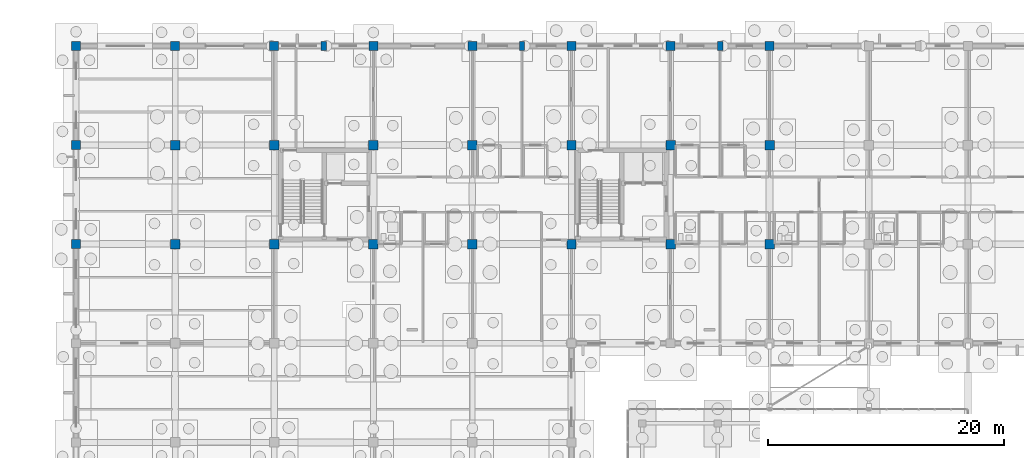
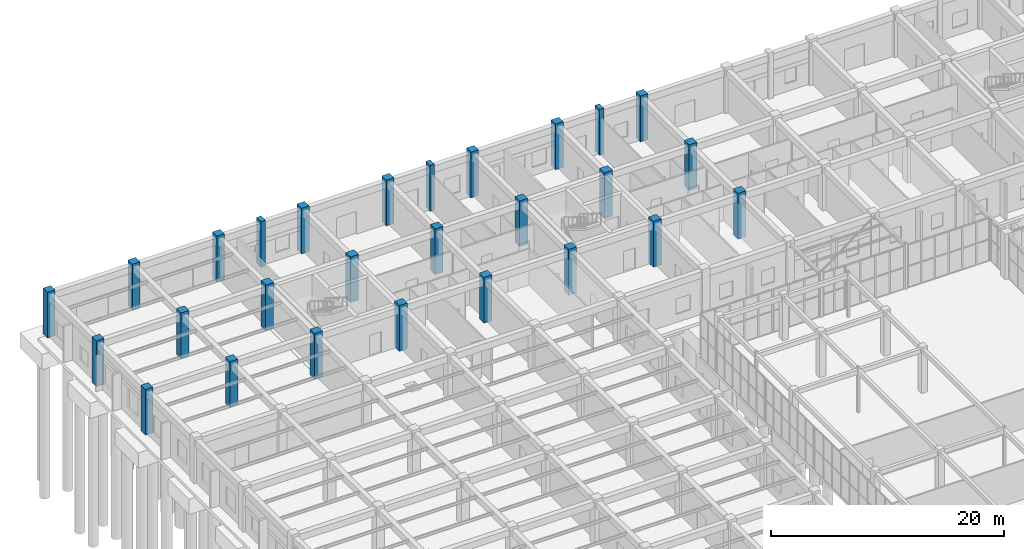
# One storey, part 33 of 192: 27 columns.
"""IFC4 building model written with IfcOpenShell, lengths in metres."""

from ifc_helpers import new_model, si_unit, direction, frame, origin, origin_2d, place, context, subcontext, project, spatial, rectangle, extrude, material, material_profile, profile_set, type_object, element, save


model = new_model("IFC4")

# Units and contexts
model_context = context("Model", 3, precision=1e-05, world=origin(), true_north=direction((0.0, 1.0)))
body_context = subcontext(model_context, "Body", "Model", "MODEL_VIEW")
ifc_project = project(units=[si_unit("LENGTHUNIT", "METRE"), si_unit("AREAUNIT", "SQUARE_METRE"), si_unit("VOLUMEUNIT", "CUBIC_METRE"), si_unit("PLANEANGLEUNIT", "RADIAN"), si_unit("MASSUNIT", "GRAM", prefix="KILO")], contexts=[model_context])

# Site, building, storey
site_placement = place(None, origin())
site = spatial("IfcSite", under=ifc_project, at=site_placement, CompositionType="ELEMENT")
building_placement = place(site_placement, origin())
building = spatial("IfcBuilding", under=site, at=building_placement, Name="Trelvath General Hospital", CompositionType="ELEMENT")
storey_placement = place(building_placement, origin())
storey = spatial("IfcBuildingStorey", under=building, at=storey_placement, Name="L00", CompositionType="ELEMENT", Elevation=0.0)

# Columns
ifc_material_1 = material(Name="Concrete C40/50", Category="concrete")
ifc_material_profile_1 = material_profile(ifc_material_1, rectangle(XDim=0.760009765625, YDim=0.760009765625, at=origin_2d()), Name="RC760x760")
ifc_profile_set_1 = profile_set([ifc_material_profile_1], Name="Concrete C40/50")
column_type_1 = type_object("IfcColumnType", Name="Column RC760", PredefinedType="COLUMN", material=ifc_profile_set_1)
for number, where, z_axis, x_axis, name in (
    (1, (0.0, 100.800048828125, 0.0), (0.0, 0.0, 1.0), (1.0, 0.0, 0.0), "Column C-1M L00"),
    (2, (0.0, 109.199951171875, 0.0), (0.0, 0.0, 1.0), (1.0, 0.0, 0.0), "Column C-1N L00"),
    (3, (0.0, 117.60009765625, 0.0), (0.0, 0.0, 1.0), (1.0, 0.0, 0.0), "Column C-1O L00"),
    (4, (8.39990234375, 117.60009765625, 0.0), (0.0, 0.0, 1.0), (1.0, 0.0, 0.0), "Column C-2O L00"),
    (5, (16.800048828125, 117.60009765625, 0.0), (0.0, 0.0, 1.0), (1.0, 0.0, 0.0), "Column C-3O L00"),
    (6, (25.199951171875, 117.60009765625, 0.0), (0.0, 0.0, 1.0), (1.0, 0.0, 0.0), "Column C-4O L00"),
    (7, (33.60009765625, 117.60009765625, 0.0), (0.0, 0.0, 1.0), (1.0, 0.0, 0.0), "Column C-5O L00"),
    (8, (42.0, 117.60009765625, 0.0), (0.0, 0.0, 1.0), (1.0, 0.0, 0.0), "Column C-6O L00"),
    (9, (50.39990234375, 117.60009765625, 0.0), (0.0, 0.0, 1.0), (1.0, 0.0, 0.0), "Column C-7O L00"),
    (10, (58.800048828125, 117.60009765625, 0.0), (0.0, 0.0, 1.0), (1.0, 0.0, 0.0), "Column C-8O L00"),
):
    element("IfcColumn", number, at=place(storey_placement, frame(where, z_axis=z_axis, x_axis=x_axis)), inside=storey, type_object=column_type_1, Name=name, PredefinedType="COLUMN", context=body_context, shape_type="SweptSolid", body=[
        extrude(rectangle(XDim=0.760009765625, YDim=0.760009765625, at=origin_2d()), origin(), (0.0, 0.0, 1.0), 4.800048828125),
    ])
ifc_material_2 = material(Name="Concrete C40/50", Category="concrete")
ifc_material_profile_2 = material_profile(ifc_material_2, rectangle(XDim=0.800048828125, YDim=0.800048828125, at=origin_2d()), Name="RC800x800")
ifc_profile_set_2 = profile_set([ifc_material_profile_2], Name="Concrete C40/50")
column_type_2 = type_object("IfcColumnType", Name="Column RC800", PredefinedType="COLUMN", material=ifc_profile_set_2)
for number, where, z_axis, x_axis, name in (
    (11, (8.39990234375, 100.800048828125, 0.0), (0.0, 0.0, 1.0), (1.0, 0.0, 0.0), "Column C-2M L00"),
    (12, (8.39990234375, 109.199951171875, 0.0), (0.0, 0.0, 1.0), (1.0, 0.0, 0.0), "Column C-2N L00"),
    (13, (16.800048828125, 100.800048828125, 0.0), (0.0, 0.0, 1.0), (1.0, 0.0, 0.0), "Column C-3M L00"),
    (14, (16.800048828125, 109.199951171875, 0.0), (0.0, 0.0, 1.0), (1.0, 0.0, 0.0), "Column C-3N L00"),
    (15, (25.199951171875, 100.800048828125, 0.0), (0.0, 0.0, 1.0), (1.0, 0.0, 0.0), "Column C-4M L00"),
    (16, (25.199951171875, 109.199951171875, 0.0), (0.0, 0.0, 1.0), (1.0, 0.0, 0.0), "Column C-4N L00"),
    (17, (33.60009765625, 100.800048828125, 0.0), (0.0, 0.0, 1.0), (1.0, 0.0, 0.0), "Column C-5M L00"),
    (18, (33.60009765625, 109.199951171875, 0.0), (0.0, 0.0, 1.0), (1.0, 0.0, 0.0), "Column C-5N L00"),
    (19, (42.0, 100.800048828125, 0.0), (0.0, 0.0, 1.0), (1.0, 0.0, 0.0), "Column C-6M L00"),
    (20, (42.0, 109.199951171875, 0.0), (0.0, 0.0, 1.0), (1.0, 0.0, 0.0), "Column C-6N L00"),
    (21, (50.39990234375, 100.800048828125, 0.0), (0.0, 0.0, 1.0), (1.0, 0.0, 0.0), "Column C-7M L00"),
    (22, (50.39990234375, 109.199951171875, 0.0), (0.0, 0.0, 1.0), (1.0, 0.0, 0.0), "Column C-7N L00"),
    (23, (58.800048828125, 100.800048828125, 0.0), (0.0, 0.0, 1.0), (1.0, 0.0, 0.0), "Column C-8M L00"),
    (24, (58.800048828125, 109.199951171875, 0.0), (0.0, 0.0, 1.0), (1.0, 0.0, 0.0), "Column C-8N L00"),
):
    element("IfcColumn", number, at=place(storey_placement, frame(where, z_axis=z_axis, x_axis=x_axis)), inside=storey, type_object=column_type_2, Name=name, PredefinedType="COLUMN", context=body_context, shape_type="SweptSolid", body=[
        extrude(rectangle(XDim=0.800048828125, YDim=0.800048828125, at=origin_2d()), origin(), (0.0, 0.0, 1.0), 4.800048828125),
    ])
ifc_material_3 = material(Name="Concrete C40/50", Category="concrete")
ifc_material_profile_3 = material_profile(ifc_material_3, rectangle(XDim=0.449951171875, YDim=0.75, at=origin_2d()), Name="RC450x750")
ifc_profile_set_3 = profile_set([ifc_material_profile_3], Name="Concrete C40/50")
column_type_3 = type_object("IfcColumnType", Name="Pilaster RC450x750", PredefinedType="PILASTER", material=ifc_profile_set_3)
for number, where, z_axis, x_axis, name in (
    (25, (21.0, 117.60009765625, 0.0), (0.0, 0.0, 1.0), (1.0, 0.0, 0.0), "Facade Pilaster PL-N02 L00"),
    (26, (37.800048828125, 117.60009765625, 0.0), (0.0, 0.0, 1.0), (1.0, 0.0, 0.0), "Facade Pilaster PL-N04 L00"),
    (27, (54.60009765625, 117.60009765625, 0.0), (0.0, 0.0, 1.0), (1.0, 0.0, 0.0), "Facade Pilaster PL-N06 L00"),
):
    element("IfcColumn", number, at=place(storey_placement, frame(where, z_axis=z_axis, x_axis=x_axis)), inside=storey, type_object=column_type_3, Name=name, PredefinedType="PILASTER", context=body_context, shape_type="SweptSolid", body=[
        extrude(rectangle(XDim=0.449951171875, YDim=0.75, at=origin_2d()), origin(), (0.0, 0.0, 1.0), 4.800048828125),
    ])

save(model, "model.ifc")
